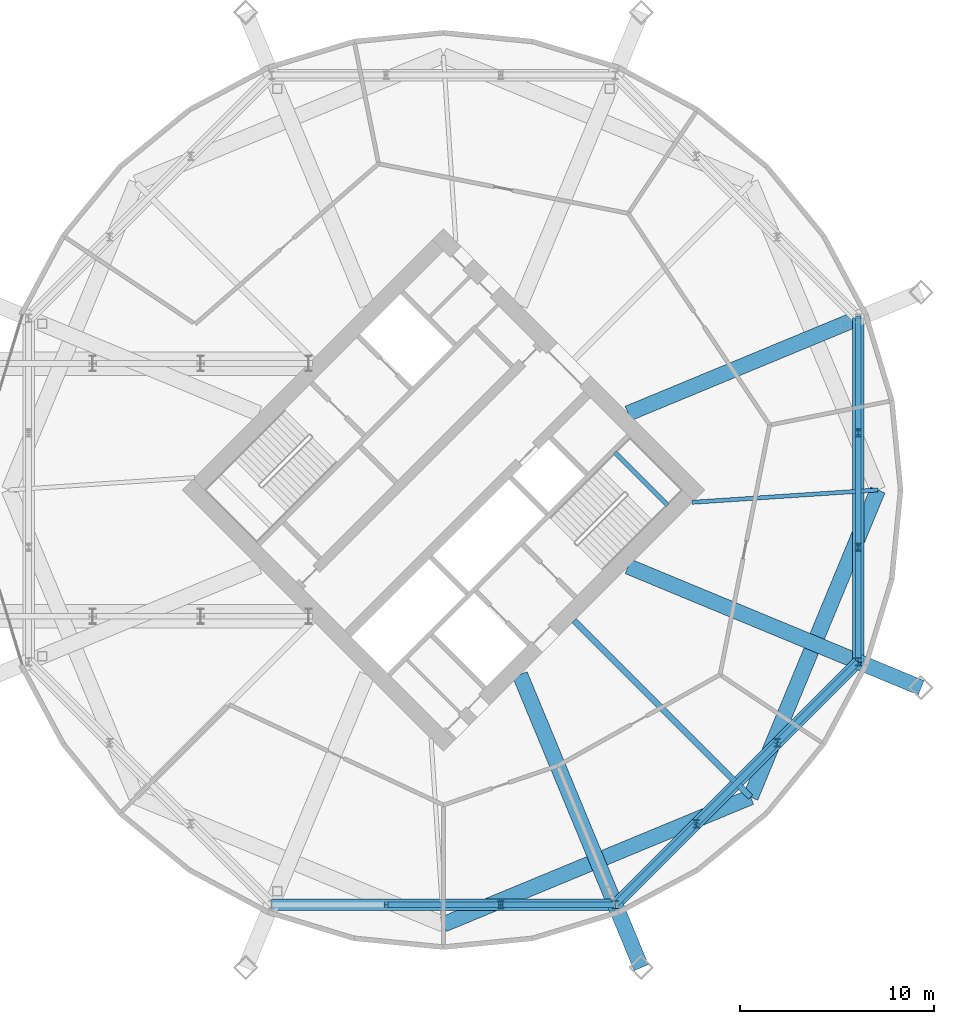
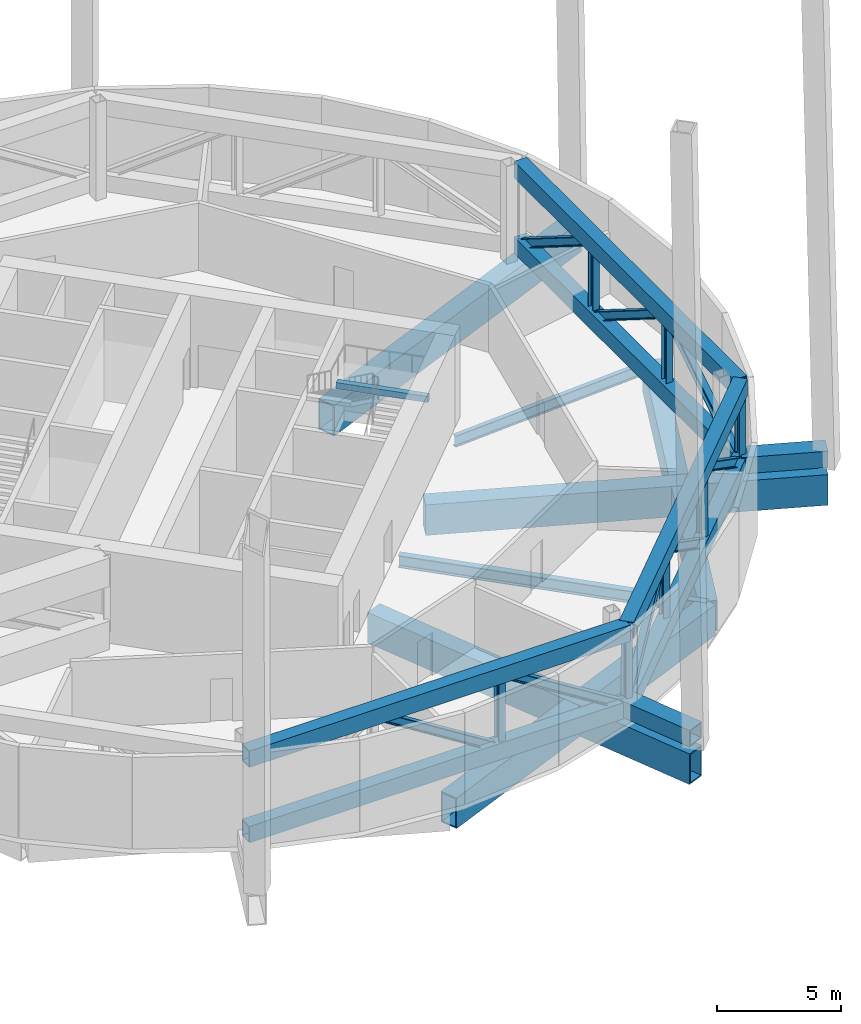
# One storey, part 9 of 19: 21 members, 10 beams.
"""IFC4 building model written with IfcOpenShell, lengths in metres."""

from ifc_helpers import new_model, si_unit, direction, frame, origin, origin_2d, place, context, subcontext, project, spatial, rectangle, hollow_rectangle, i_section, extrude, material, material_profile, profile_set, type_object, element, save


model = new_model("IFC4")

# Units and contexts
model_context = context("Model", 3, precision=1e-05, world=origin(), true_north=direction((0.0, 1.0)))
body_context = subcontext(model_context, "Body", "Model", "MODEL_VIEW")
ifc_project = project(units=[si_unit("LENGTHUNIT", "METRE"), si_unit("AREAUNIT", "SQUARE_METRE"), si_unit("VOLUMEUNIT", "CUBIC_METRE"), si_unit("PLANEANGLEUNIT", "RADIAN"), si_unit("MASSUNIT", "GRAM", prefix="KILO")], contexts=[model_context])

# Site, building, storey
site_placement = place(None, origin())
site = spatial("IfcSite", under=ifc_project, at=site_placement, CompositionType="ELEMENT")
building_placement = place(site_placement, origin())
building = spatial("IfcBuilding", under=site, at=building_placement, Name="Ogive Gate Towers", CompositionType="ELEMENT")
storey_placement = place(building_placement, frame((0.0, 0.0, 130.800048828125)))
storey = spatial("IfcBuildingStorey", under=building, at=storey_placement, Name="L31", CompositionType="ELEMENT", Elevation=130.800048828125)

# Beams
ifc_material_1 = material(Name="Steel SM460", Category="steel")
ifc_material_profile_1 = material_profile(ifc_material_1, hollow_rectangle(XDim=0.800048828125, YDim=1.5, WallThickness=0.06005859375, at=origin_2d()), Name="BX 1500x800x60")
ifc_profile_set_1 = profile_set([ifc_material_profile_1], Name="Steel SM460")
beam_type_1 = type_object("IfcBeamType", Name="Edge girder BX 1500x800x60", PredefinedType="BEAM", material=ifc_profile_set_1)
for number, where, z_axis, x_axis, name in (
    (1, (36.0, -22.35009765625, -1.050048828125), (0.923880978344, 0.382679941797, 0.0), (-0.382679941797, 0.923880978344, 0.0), "T2/L31/SBM018"),
    (2, (51.803955078125, -15.803955078125, -1.050048828125), (0.382679941797, 0.923880978344, 0.0), (-0.923880978344, 0.382679941797, 0.0), "T2/L31/SBM019"),
):
    element("IfcBeam", number, at=place(storey_placement, frame(where, z_axis=z_axis, x_axis=x_axis)), inside=storey, type_object=beam_type_1, Name=name, PredefinedType="BEAM", context=body_context, shape_type="SweptSolid", body=[
        extrude(hollow_rectangle(XDim=0.800048828125, YDim=1.5, WallThickness=0.06005859375, at=origin_2d()), origin(), (0.0, 0.0, 1.0), 17.10595703125),
    ])
ifc_material_2 = material(Name="Concrete C40/50", Category="concrete")
ifc_material_profile_2 = material_profile(ifc_material_2, rectangle(XDim=0.25, YDim=0.300048828125, at=origin_2d()), Name="RC 250x300")
ifc_profile_set_2 = profile_set([ifc_material_profile_2], Name="Concrete C40/50")
beam_type_2 = type_object("IfcBeamType", Name="Landing bearer RC 250x300", PredefinedType="BEAM", material=ifc_profile_set_2)
beam_1_placement = place(storey_placement, frame((47.527587890625, -0.77587890625, 2.050048828125), z_axis=(-0.707106781187, 0.707106781187, 0.0), x_axis=(-0.707106781187, -0.707106781187, 0.0)))
element("IfcBeam", 3, at=beam_1_placement, inside=storey, type_object=beam_type_2, Name="T2 L31 stair 2 landing bearer 1", PredefinedType="BEAM", context=body_context, shape_type="SweptSolid", body=[
    extrude(rectangle(XDim=0.25, YDim=0.300048828125, at=origin_2d()), origin(), (0.0, 0.0, 1.0), 3.824951171875),
])
ifc_material_profile_3 = material_profile(ifc_material_1, hollow_rectangle(XDim=0.800048828125, YDim=0.800048828125, WallThickness=0.050048828125, at=origin_2d()), Name="BX 800x800x50")
ifc_profile_set_3 = profile_set([ifc_material_profile_3], Name="Steel SM460")
beam_type_3 = type_object("IfcBeamType", Name="Node arm BX 800x800x50", PredefinedType="BEAM", material=ifc_profile_set_3)
for number, where, z_axis, x_axis, name in (
    (4, (44.840087890625, -21.341552734375, 0.449951171875), (0.382668033682, -0.923885910704, 0.0), (0.923885910704, 0.382668033682, 0.0), "T2/L31/SBM031"),
    (5, (57.341552734375, -8.840087890625, 0.449951171875), (0.923885910704, -0.382668033682, 0.0), (0.382668033682, 0.923885910704, 0.0), "T2/L31/SBM032"),
):
    element("IfcBeam", number, at=place(storey_placement, frame(where, z_axis=z_axis, x_axis=x_axis)), inside=storey, type_object=beam_type_3, Name=name, PredefinedType="BEAM", context=body_context, shape_type="SweptSolid", body=[
        extrude(hollow_rectangle(XDim=0.800048828125, YDim=0.800048828125, WallThickness=0.050048828125, at=origin_2d()), origin(), (0.0, 0.0, 1.0), 3.5),
    ])
ifc_material_3 = material(Name="Steel SM355", Category="steel")
ifc_material_profile_4 = material_profile(ifc_material_3, i_section(OverallWidth=0.300048828125, OverallDepth=0.590087890625, WebThickness=0.012939453125, FlangeThickness=0.02490234375, FilletRadius=0.027099609375, at=origin_2d()), Name="HE 600 A")
ifc_profile_set_4 = profile_set([ifc_material_profile_4], Name="Steel SM355")
beam_type_4 = type_object("IfcBeamType", Name="Radial floor beam HE 600 A", PredefinedType="BEAM", material=ifc_profile_set_4)
beam_2_placement = place(storey_placement, frame((42.717529296875, -6.717529296875, -0.594970703125), z_axis=(0.707106781187, -0.707106781187, 0.0), x_axis=(0.707106781187, 0.707106781187, 0.0)))
element("IfcBeam", 6, at=beam_2_placement, inside=storey, type_object=beam_type_4, Name="T2/L31/SBM005", PredefinedType="BEAM", context=body_context, shape_type="SweptSolid", body=[
    extrude(i_section(OverallWidth=0.300048828125, OverallDepth=0.590087890625, WebThickness=0.012939453125, FlangeThickness=0.02490234375, FilletRadius=0.027099609375, at=origin_2d()), origin(), (0.0, 0.0, 1.0), 12.85009765625),
])
ifc_material_profile_5 = material_profile(ifc_material_3, i_section(OverallWidth=0.2099609375, OverallDepth=0.550048828125, WebThickness=0.010986328125, FlangeThickness=0.01708984375, FilletRadius=0.02392578125, at=origin_2d()), Name="IPE 550")
ifc_profile_set_5 = profile_set([ifc_material_profile_5], Name="Steel SM355")
beam_type_5 = type_object("IfcBeamType", Name="Radial floor beam IPE 550", PredefinedType="BEAM", material=ifc_profile_set_5)
beam_3_placement = place(storey_placement, frame((48.798583984375, -0.636474609375, -0.574951171875), z_axis=(0.997787188672, 0.066488541289, 0.0), x_axis=(-0.066488541289, 0.997787188672, 0.0)))
element("IfcBeam", 7, at=beam_3_placement, inside=storey, type_object=beam_type_5, Name="T2/L31/SBM007", PredefinedType="BEAM", context=body_context, shape_type="SweptSolid", body=[
    extrude(i_section(OverallWidth=0.2099609375, OverallDepth=0.550048828125, WebThickness=0.010986328125, FlangeThickness=0.01708984375, FilletRadius=0.02392578125, at=origin_2d()), origin(), (0.0, 0.0, 1.0), 9.57275390625),
])
ifc_material_profile_6 = material_profile(ifc_material_1, hollow_rectangle(XDim=0.800048828125, YDim=1.5, WallThickness=0.06005859375, at=origin_2d()), Name="BX 1500x800x60")
ifc_profile_set_6 = profile_set([ifc_material_profile_6], Name="Steel SM460")
beam_type_6 = type_object("IfcBeamType", Name="Transfer radial beam BX 1500x800x60", PredefinedType="BEAM", material=ifc_profile_set_6)
for number, where, z_axis, x_axis, name in (
    (8, (39.93505859375, -9.5, -1.050048828125), (0.382685232436, -0.923878786896, 0.0), (0.923878786896, 0.382685232436, 0.0), "T2/L31/SBM004"),
    (9, (45.5, -3.93505859375, -1.050048828125), (0.923878786896, -0.382685232436, 0.0), (0.382685232436, 0.923878786896, 0.0), "T2/L31/SBM006"),
    (10, (45.5, 3.93505859375, -1.050048828125), (0.923878786896, 0.382685232436, 0.0), (-0.382685232436, 0.923878786896, 0.0), "T2/L31/SBM008"),
):
    element("IfcBeam", number, at=place(storey_placement, frame(where, z_axis=z_axis, x_axis=x_axis)), inside=storey, type_object=beam_type_6, Name=name, PredefinedType="BEAM", context=body_context, shape_type="SweptSolid", body=[
        extrude(hollow_rectangle(XDim=0.800048828125, YDim=1.5, WallThickness=0.06005859375, at=origin_2d()), origin(), (0.0, 0.0, 1.0), 16.3173828125),
    ])

# Members
ifc_material_profile_7 = material_profile(ifc_material_1, hollow_rectangle(XDim=0.60009765625, YDim=0.800048828125, WallThickness=0.0400390625, at=origin_2d()), Name="BX 800x600x40")
ifc_profile_set_7 = profile_set([ifc_material_profile_7], Name="Steel SM460")
member_type_1 = type_object("IfcMemberType", Name="Truss chord BX 800x600x40", PredefinedType="CHORD", material=ifc_profile_set_7)
for number, where, z_axis, x_axis, name in (
    (11, (27.159912109375, -21.341552734375, 0.39990234375), (1.0, 0.0, 0.0), (0.0, 1.0, 0.0), "T2/L31/STR042"),
    (12, (27.159912109375, -21.341552734375, 4.099853515625), (1.0, 0.0, 0.0), (0.0, 1.0, 0.0), "T2/L31/STR043"),
):
    element("IfcMember", number, at=place(storey_placement, frame(where, z_axis=z_axis, x_axis=x_axis)), inside=storey, type_object=member_type_1, Name=name, PredefinedType="CHORD", context=body_context, shape_type="SweptSolid", body=[
        extrude(hollow_rectangle(XDim=0.60009765625, YDim=0.800048828125, WallThickness=0.0400390625, at=origin_2d()), origin(), (0.0, 0.0, 1.0), 17.68017578125),
    ])
for number, where, z_axis, x_axis, name in (
    (13, (44.840087890625, -21.341552734375, 0.39990234375), (0.707106781187, 0.707106781187, 0.0), (-0.707106781187, 0.707106781187, 0.0), "T2/L31/STR050"),
    (14, (44.840087890625, -21.341552734375, 4.099853515625), (0.707106781187, 0.707106781187, 0.0), (-0.707106781187, 0.707106781187, 0.0), "T2/L31/STR051"),
):
    element("IfcMember", number, at=place(storey_placement, frame(where, z_axis=z_axis, x_axis=x_axis)), inside=storey, type_object=member_type_1, Name=name, PredefinedType="CHORD", context=body_context, shape_type="SweptSolid", body=[
        extrude(hollow_rectangle(XDim=0.60009765625, YDim=0.800048828125, WallThickness=0.0400390625, at=origin_2d()), origin(), (0.0, 0.0, 1.0), 17.6796875),
    ])
for number, where, z_axis, x_axis, name in (
    (15, (57.341552734375, -8.840087890625, 0.39990234375), (0.0, 1.0, 0.0), (-1.0, 0.0, 0.0), "T2/L31/STR058"),
    (16, (57.341552734375, -8.840087890625, 4.099853515625), (0.0, 1.0, 0.0), (-1.0, 0.0, 0.0), "T2/L31/STR059"),
):
    element("IfcMember", number, at=place(storey_placement, frame(where, z_axis=z_axis, x_axis=x_axis)), inside=storey, type_object=member_type_1, Name=name, PredefinedType="CHORD", context=body_context, shape_type="SweptSolid", body=[
        extrude(hollow_rectangle(XDim=0.60009765625, YDim=0.800048828125, WallThickness=0.0400390625, at=origin_2d()), origin(), (0.0, 0.0, 1.0), 17.68017578125),
    ])
ifc_material_profile_8 = material_profile(ifc_material_1, i_section(OverallWidth=0.300048828125, OverallDepth=0.39990234375, WebThickness=0.013427734375, FlangeThickness=0.02392578125, FilletRadius=0.027099609375, at=origin_2d()), Name="HE 400 B")
ifc_profile_set_8 = profile_set([ifc_material_profile_8], Name="Steel SM460")
member_type_2 = type_object("IfcMemberType", Name="Truss diagonal HE 400 B", PredefinedType="BRACE", material=ifc_profile_set_8)
member_1_placement = place(storey_placement, frame((33.05322265625, -21.341552734375, 4.099853515625), z_axis=(0.846932242345, 0.0, -0.531700833999), x_axis=(0.0, 1.0, 0.0)))
element("IfcMember", 17, at=member_1_placement, inside=storey, type_object=member_type_2, Name="T2/L31/STR045", PredefinedType="BRACE", context=body_context, shape_type="SweptSolid", body=[
    extrude(i_section(OverallWidth=0.300048828125, OverallDepth=0.39990234375, WebThickness=0.013427734375, FlangeThickness=0.02392578125, FilletRadius=0.027099609375, at=origin_2d()), origin(), (0.0, 0.0, 1.0), 6.958740234375),
])
for number, where, z_axis, x_axis, name in (
    (18, (38.94677734375, -21.341552734375, 4.099853515625), (0.846922323401, 0.0, -0.531716633297), (0.0, 1.0, 0.0), "T2/L31/STR046"),
    (19, (44.840087890625, -21.341552734375, 0.39990234375), (0.598866000046, 0.598866000046, 0.531713294903), (-0.707106781187, 0.707106781187, 0.0), "T2/L31/STR052"),
):
    element("IfcMember", number, at=place(storey_placement, frame(where, z_axis=z_axis, x_axis=x_axis)), inside=storey, type_object=member_type_2, Name=name, PredefinedType="BRACE", context=body_context, shape_type="SweptSolid", body=[
        extrude(i_section(OverallWidth=0.300048828125, OverallDepth=0.39990234375, WebThickness=0.013427734375, FlangeThickness=0.02392578125, FilletRadius=0.027099609375, at=origin_2d()), origin(), (0.0, 0.0, 1.0), 6.95849609375),
    ])
member_2_placement = place(storey_placement, frame((49.00732421875, -17.17431640625, 4.099853515625), z_axis=(0.598856080222, 0.598856080222, -0.531735639545), x_axis=(-0.707106781187, 0.707106781187, 0.0)))
element("IfcMember", 20, at=member_2_placement, inside=storey, type_object=member_type_2, Name="T2/L31/STR053", PredefinedType="BRACE", context=body_context, shape_type="SweptSolid", body=[
    extrude(i_section(OverallWidth=0.300048828125, OverallDepth=0.39990234375, WebThickness=0.013427734375, FlangeThickness=0.02392578125, FilletRadius=0.027099609375, at=origin_2d()), origin(), (0.0, 0.0, 1.0), 6.958251953125),
])
for number, where, z_axis, x_axis, name in (
    (21, (53.17431640625, -13.00732421875, 4.099853515625), (0.598866000046, 0.598866000046, -0.531713294903), (-0.707106781187, 0.707106781187, 0.0), "T2/L31/STR054"),
    (22, (57.341552734375, -8.840087890625, 0.39990234375), (0.0, 0.846922323401, 0.531716633297), (-1.0, 0.0, 0.0), "T2/L31/STR060"),
):
    element("IfcMember", number, at=place(storey_placement, frame(where, z_axis=z_axis, x_axis=x_axis)), inside=storey, type_object=member_type_2, Name=name, PredefinedType="BRACE", context=body_context, shape_type="SweptSolid", body=[
        extrude(i_section(OverallWidth=0.300048828125, OverallDepth=0.39990234375, WebThickness=0.013427734375, FlangeThickness=0.02392578125, FilletRadius=0.027099609375, at=origin_2d()), origin(), (0.0, 0.0, 1.0), 6.95849609375),
    ])
member_3_placement = place(storey_placement, frame((57.341552734375, -2.94677734375, 4.099853515625), z_axis=(0.0, 0.846932242345, -0.531700833999), x_axis=(-1.0, 0.0, 0.0)))
element("IfcMember", 23, at=member_3_placement, inside=storey, type_object=member_type_2, Name="T2/L31/STR061", PredefinedType="BRACE", context=body_context, shape_type="SweptSolid", body=[
    extrude(i_section(OverallWidth=0.300048828125, OverallDepth=0.39990234375, WebThickness=0.013427734375, FlangeThickness=0.02392578125, FilletRadius=0.027099609375, at=origin_2d()), origin(), (0.0, 0.0, 1.0), 6.958740234375),
])
member_4_placement = place(storey_placement, frame((57.341552734375, 2.94677734375, 4.099853515625), z_axis=(0.0, 0.846922323401, -0.531716633297), x_axis=(-1.0, 0.0, 0.0)))
element("IfcMember", 24, at=member_4_placement, inside=storey, type_object=member_type_2, Name="T2/L31/STR062", PredefinedType="BRACE", context=body_context, shape_type="SweptSolid", body=[
    extrude(i_section(OverallWidth=0.300048828125, OverallDepth=0.39990234375, WebThickness=0.013427734375, FlangeThickness=0.02392578125, FilletRadius=0.027099609375, at=origin_2d()), origin(), (0.0, 0.0, 1.0), 6.95849609375),
])
ifc_material_profile_9 = material_profile(ifc_material_1, i_section(OverallWidth=0.300048828125, OverallDepth=0.39990234375, WebThickness=0.013427734375, FlangeThickness=0.02392578125, FilletRadius=0.027099609375, at=origin_2d()), Name="HE 400 B")
ifc_profile_set_9 = profile_set([ifc_material_profile_9], Name="Steel SM460")
member_type_3 = type_object("IfcMemberType", Name="Truss post HE 400 B", PredefinedType="POST", material=ifc_profile_set_9)
for number, where, z_axis, x_axis, name in (
    (25, (38.94677734375, -21.341552734375, 0.39990234375), (0.0, 0.0, 1.0), (1.0, 0.0, 0.0), "T2/L31/STR048"),
    (26, (44.840087890625, -21.341552734375, 0.39990234375), (0.0, 0.0, 1.0), (1.0, 0.0, 0.0), "T2/L31/STR049"),
    (27, (49.00732421875, -17.17431640625, 0.39990234375), (0.0, 0.0, 1.0), (1.0, 0.0, 0.0), "T2/L31/STR055"),
    (28, (53.17431640625, -13.00732421875, 0.39990234375), (0.0, 0.0, 1.0), (1.0, 0.0, 0.0), "T2/L31/STR056"),
    (29, (57.341552734375, -8.840087890625, 0.39990234375), (0.0, 0.0, 1.0), (1.0, 0.0, 0.0), "T2/L31/STR057"),
    (30, (57.341552734375, -2.94677734375, 0.39990234375), (0.0, 0.0, 1.0), (1.0, 0.0, 0.0), "T2/L31/STR063"),
    (31, (57.341552734375, 2.94677734375, 0.39990234375), (0.0, 0.0, 1.0), (1.0, 0.0, 0.0), "T2/L31/STR064"),
):
    element("IfcMember", number, at=place(storey_placement, frame(where, z_axis=z_axis, x_axis=x_axis)), inside=storey, type_object=member_type_3, Name=name, PredefinedType="POST", context=body_context, shape_type="SweptSolid", body=[
        extrude(i_section(OverallWidth=0.300048828125, OverallDepth=0.39990234375, WebThickness=0.013427734375, FlangeThickness=0.02392578125, FilletRadius=0.027099609375, at=origin_2d()), origin(), (0.0, 0.0, 1.0), 3.699951171875),
    ])

save(model, "model.ifc")
